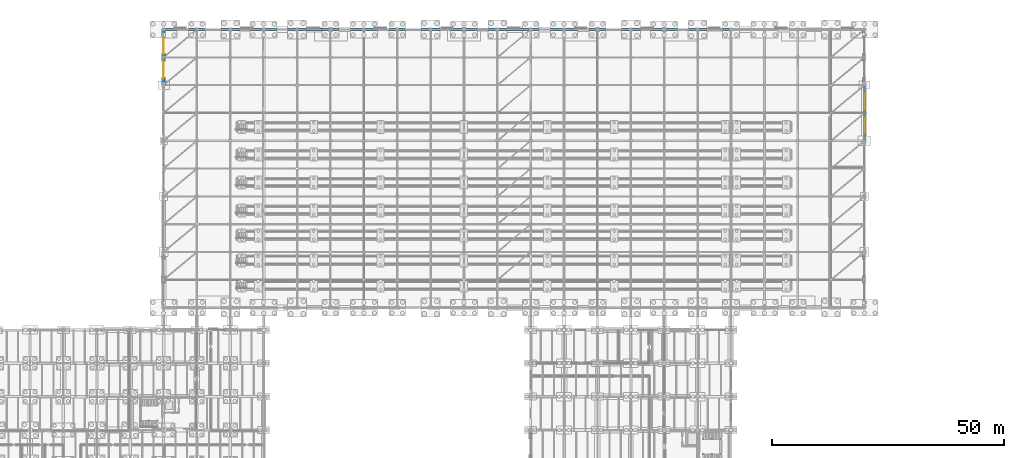
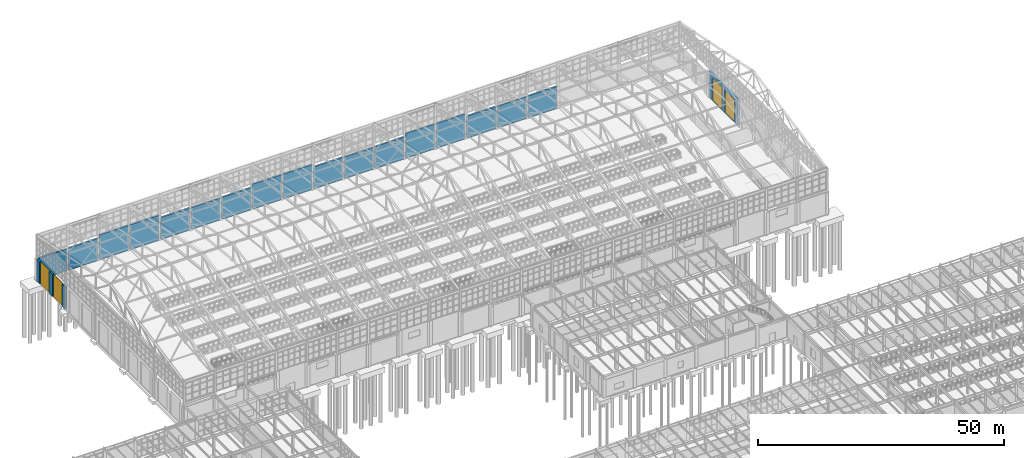
# One storey, part 275 of 293: 19 walls, 4 doors, 4 openings.
"""IFC4 building model written with IfcOpenShell, lengths in metres."""

from ifc_helpers import new_model, si_unit, direction, frame, frame_2d, origin, place, context, subcontext, project, spatial, rectangle, extrude, material, layer, layer_set, type_object, element, fill, save


model = new_model("IFC4")

# Units and contexts
model_context = context("Model", 3, precision=1e-05, world=origin(), true_north=direction((0.0, 1.0)))
body_context = subcontext(model_context, "Body", "Model", "MODEL_VIEW")
ifc_project = project(units=[si_unit("LENGTHUNIT", "METRE"), si_unit("AREAUNIT", "SQUARE_METRE"), si_unit("VOLUMEUNIT", "CUBIC_METRE"), si_unit("PLANEANGLEUNIT", "RADIAN"), si_unit("MASSUNIT", "GRAM", prefix="KILO")], contexts=[model_context])

# Site, building, storey
site_placement = place(None, origin())
site = spatial("IfcSite", under=ifc_project, at=site_placement, CompositionType="ELEMENT")
building_placement = place(site_placement, origin())
building = spatial("IfcBuilding", under=site, at=building_placement, Name="Kemerveld Promenade Tramway Depot", CompositionType="ELEMENT")
storey_placement = place(building_placement, origin())
storey = spatial("IfcBuildingStorey", under=building, at=storey_placement, Name="L00", CompositionType="ELEMENT", Elevation=0.0)

# Walls
ifc_material_1 = material(Name="Harare granite ashlar and clay brick cavity masonry", Category="masonry")
ifc_layer = layer(ifc_material_1, 0.419921875)
ifc_layer_set = layer_set([ifc_layer], Name="WL-EXT-420")
wall_type = type_object("IfcWallType", Name="WL-EXT-420", PredefinedType="SOLIDWALL", material=ifc_layer_set)
for number, where, z_axis, x_axis, name in (
    (1, (36.22314453125, 144.0, 0.0), (0.0, 0.0, 1.0), (1.0, 0.0, 0.0), "WL-V1-N-01"),
    (2, (43.423095703125, 144.0, 0.0), (0.0, 0.0, 1.0), (1.0, 0.0, 0.0), "WL-V1-N-02"),
):
    element("IfcWall", number, at=place(storey_placement, frame(where, z_axis=z_axis, x_axis=x_axis)), inside=storey, type_object=wall_type, Name=name, PredefinedType="SOLIDWALL", context=body_context, shape_type="SweptSolid", body=[
        extrude(rectangle(XDim=6.753662109375, YDim=0.419921875, at=frame_2d((3.376953125, 0.0))), origin(), (0.0, 0.0, 1.0), 5.443359375),
    ])
wall_1_placement = place(storey_placement, frame((50.623291015625, 144.0, 0.0), z_axis=(0.0, 0.0, 1.0), x_axis=(1.0, 0.0, 0.0)))
element("IfcWall", 3, at=wall_1_placement, inside=storey, type_object=wall_type, Name="WL-V1-N-03", PredefinedType="SOLIDWALL", context=body_context, shape_type="SweptSolid", body=[
    extrude(rectangle(XDim=6.75341796875, YDim=0.419921875, at=frame_2d((3.376708984375, 0.0))), origin(), (0.0, 0.0, 1.0), 6.199951171875),
])
wall_2_placement = place(storey_placement, frame((57.8232421875, 144.0, 0.0), z_axis=(0.0, 0.0, 1.0), x_axis=(1.0, 0.0, 0.0)))
element("IfcWall", 4, at=wall_2_placement, inside=storey, type_object=wall_type, Name="WL-V1-N-04", PredefinedType="SOLIDWALL", context=body_context, shape_type="SweptSolid", body=[
    extrude(rectangle(XDim=6.753662109375, YDim=0.419921875, at=frame_2d((3.376953125, 0.0))), origin(), (0.0, 0.0, 1.0), 6.199951171875),
])
for number, where, z_axis, x_axis, name in (
    (5, (65.023193359375, 144.0, 0.0), (0.0, 0.0, 1.0), (1.0, 0.0, 0.0), "WL-V1-N-05"),
    (6, (72.22314453125, 144.0, 0.0), (0.0, 0.0, 1.0), (1.0, 0.0, 0.0), "WL-V1-N-06"),
    (7, (79.423095703125, 144.0, 0.0), (0.0, 0.0, 1.0), (1.0, 0.0, 0.0), "WL-V1-N-07"),
):
    element("IfcWall", number, at=place(storey_placement, frame(where, z_axis=z_axis, x_axis=x_axis)), inside=storey, type_object=wall_type, Name=name, PredefinedType="SOLIDWALL", context=body_context, shape_type="SweptSolid", body=[
        extrude(rectangle(XDim=6.753662109375, YDim=0.419921875, at=frame_2d((3.376953125, 0.0))), origin(), (0.0, 0.0, 1.0), 5.443359375),
    ])
wall_3_placement = place(storey_placement, frame((86.623291015625, 144.0, 0.0), z_axis=(0.0, 0.0, 1.0), x_axis=(1.0, 0.0, 0.0)))
element("IfcWall", 8, at=wall_3_placement, inside=storey, type_object=wall_type, Name="WL-V1-N-08", PredefinedType="SOLIDWALL", context=body_context, shape_type="SweptSolid", body=[
    extrude(rectangle(XDim=6.75341796875, YDim=0.419921875, at=frame_2d((3.376708984375, 0.0))), origin(), (0.0, 0.0, 1.0), 6.199951171875),
])
wall_4_placement = place(storey_placement, frame((93.8232421875, 144.0, 0.0), z_axis=(0.0, 0.0, 1.0), x_axis=(1.0, 0.0, 0.0)))
element("IfcWall", 9, at=wall_4_placement, inside=storey, type_object=wall_type, Name="WL-V1-N-09", PredefinedType="SOLIDWALL", context=body_context, shape_type="SweptSolid", body=[
    extrude(rectangle(XDim=6.753662109375, YDim=0.419921875, at=frame_2d((3.376953125, 0.0))), origin(), (0.0, 0.0, 1.0), 6.199951171875),
])
for number, where, z_axis, x_axis, name in (
    (10, (101.023193359375, 144.0, 0.0), (0.0, 0.0, 1.0), (1.0, 0.0, 0.0), "WL-V1-N-10"),
    (11, (108.22314453125, 144.0, 0.0), (0.0, 0.0, 1.0), (1.0, 0.0, 0.0), "WL-V1-N-11"),
    (12, (115.423095703125, 144.0, 0.0), (0.0, 0.0, 1.0), (1.0, 0.0, 0.0), "WL-V1-N-12"),
):
    element("IfcWall", number, at=place(storey_placement, frame(where, z_axis=z_axis, x_axis=x_axis)), inside=storey, type_object=wall_type, Name=name, PredefinedType="SOLIDWALL", context=body_context, shape_type="SweptSolid", body=[
        extrude(rectangle(XDim=6.753662109375, YDim=0.419921875, at=frame_2d((3.376953125, 0.0))), origin(), (0.0, 0.0, 1.0), 5.443359375),
    ])
wall_5_placement = place(storey_placement, frame((122.623291015625, 144.0, 0.0), z_axis=(0.0, 0.0, 1.0), x_axis=(1.0, 0.0, 0.0)))
element("IfcWall", 13, at=wall_5_placement, inside=storey, type_object=wall_type, Name="WL-V1-N-13", PredefinedType="SOLIDWALL", context=body_context, shape_type="SweptSolid", body=[
    extrude(rectangle(XDim=6.75341796875, YDim=0.419921875, at=frame_2d((3.376708984375, 0.0))), origin(), (0.0, 0.0, 1.0), 6.199951171875),
])
wall_6_placement = place(storey_placement, frame((129.8232421875, 144.0, 0.0), z_axis=(0.0, 0.0, 1.0), x_axis=(1.0, 0.0, 0.0)))
element("IfcWall", 14, at=wall_6_placement, inside=storey, type_object=wall_type, Name="WL-V1-N-14", PredefinedType="SOLIDWALL", context=body_context, shape_type="SweptSolid", body=[
    extrude(rectangle(XDim=6.753662109375, YDim=0.419921875, at=frame_2d((3.376953125, 0.0))), origin(), (0.0, 0.0, 1.0), 6.199951171875),
])
for number, where, z_axis, x_axis, name in (
    (15, (137.023193359375, 144.0, 0.0), (0.0, 0.0, 1.0), (1.0, 0.0, 0.0), "WL-V1-N-15"),
    (16, (144.22314453125, 144.0, 0.0), (0.0, 0.0, 1.0), (1.0, 0.0, 0.0), "WL-V1-N-16"),
    (17, (151.423095703125, 144.0, 0.0), (0.0, 0.0, 1.0), (1.0, 0.0, 0.0), "WL-V1-N-17"),
):
    element("IfcWall", number, at=place(storey_placement, frame(where, z_axis=z_axis, x_axis=x_axis)), inside=storey, type_object=wall_type, Name=name, PredefinedType="SOLIDWALL", context=body_context, shape_type="SweptSolid", body=[
        extrude(rectangle(XDim=6.753662109375, YDim=0.419921875, at=frame_2d((3.376953125, 0.0))), origin(), (0.0, 0.0, 1.0), 5.443359375),
    ])

# Wall, openings, doors
wall_7_placement = place(storey_placement, frame((187.199951171875, 131.81640625, 0.0), z_axis=(0.0, 0.0, 1.0), x_axis=(0.0, -1.0, 0.0)))
wall_7 = element("IfcWall", 18, at=wall_7_placement, inside=storey, type_object=wall_type, Name="WL-V1-E-04", PredefinedType="SOLIDWALL", context=body_context, shape_type="SweptSolid", body=[
    extrude(rectangle(XDim=11.6328125, YDim=0.419921875, at=frame_2d((5.81640625, 0.0))), origin(), (0.0, 0.0, 1.0), 6.60009765625),
])
opening_1_placement = place(wall_7_placement, frame((1.300048828125, 0.0, 0.0)))
opening_1 = element("IfcOpeningElement", 19, at=opening_1_placement, cuts=wall_7, Name="Opening G-117", PredefinedType="OPENING", context=body_context, shape_type="SweptSolid", body=[
    extrude(rectangle(XDim=3.949951171875, YDim=5.699951171875, at=frame_2d((1.97509765625, 2.85009765625))), frame((0.0, 0.219970703125, 0.0), z_axis=(0.0, -1.0, 0.0), x_axis=(1.0, 0.0, 0.0)), (0.0, 0.0, 1.0), 0.43994140625),
])
opening_2_placement = place(wall_7_placement, frame((6.383056640625, 0.0, 0.0)))
opening_2 = element("IfcOpeningElement", 20, at=opening_2_placement, cuts=wall_7, Name="Opening G-118", PredefinedType="OPENING", context=body_context, shape_type="SweptSolid", body=[
    extrude(rectangle(XDim=3.949951171875, YDim=5.699951171875, at=frame_2d((1.97509765625, 2.85009765625))), frame((0.0, 0.219970703125, 0.0), z_axis=(0.0, -1.0, 0.0), x_axis=(1.0, 0.0, 0.0)), (0.0, 0.0, 1.0), 0.43994140625),
])
ifc_material_2 = material(Name="Insulated powder-coated steel bi-folding tram gate", Category="steel")
door_type_1 = type_object("IfcDoorType", Name="GT-TRAM2", OperationType="FOLDING_TO_LEFT", PredefinedType="GATE", material=ifc_material_2)
door_1_placement = place(opening_1_placement, origin())
door_1 = element("IfcDoor", 21, at=door_1_placement, inside=storey, type_object=door_type_1, Name="GT-V1-E-4-1", OperationType="FOLDING_TO_LEFT", OverallHeight=5.699951171875, OverallWidth=3.949951171875, PredefinedType="GATE", context=body_context, shape_type="SweptSolid", body=[
    extrude(rectangle(XDim=3.949951171875, YDim=5.699951171875, at=frame_2d((1.97509765625, 2.85009765625))), frame((0.0, 0.02490234375, 0.0), z_axis=(0.0, -1.0, 0.0), x_axis=(1.0, 0.0, 0.0)), (0.0, 0.0, 1.0), 0.050048828125),
])
fill(opening_1, door_1)
door_2_placement = place(opening_2_placement, origin())
door_2 = element("IfcDoor", 22, at=door_2_placement, inside=storey, type_object=door_type_1, Name="GT-V1-E-4-2", OperationType="FOLDING_TO_LEFT", OverallHeight=5.699951171875, OverallWidth=3.949951171875, PredefinedType="GATE", context=body_context, shape_type="SweptSolid", body=[
    extrude(rectangle(XDim=3.949951171875, YDim=5.699951171875, at=frame_2d((1.97509765625, 2.85009765625))), frame((0.0, 0.02490234375, 0.0), z_axis=(0.0, -1.0, 0.0), x_axis=(1.0, 0.0, 0.0)), (0.0, 0.0, 1.0), 0.050048828125),
])
fill(opening_2, door_2)

wall_8_placement = place(storey_placement, frame((36.0, 132.18359375, 0.0), z_axis=(0.0, 0.0, 1.0), x_axis=(0.0, 1.0, 0.0)))
wall_8 = element("IfcWall", 23, at=wall_8_placement, inside=storey, type_object=wall_type, Name="WL-V1-W-05", PredefinedType="SOLIDWALL", context=body_context, shape_type="SweptSolid", body=[
    extrude(rectangle(XDim=11.59326171875, YDim=0.419921875, at=frame_2d((5.796630859375, 0.0))), origin(), (0.0, 0.0, 1.0), 5.443359375),
])
opening_3_placement = place(wall_8_placement, frame((1.300048828125, 0.0, 0.0)))
opening_3 = element("IfcOpeningElement", 24, at=opening_3_placement, cuts=wall_8, Name="Opening G-119", PredefinedType="OPENING", context=body_context, shape_type="SweptSolid", body=[
    extrude(rectangle(XDim=3.800048828125, YDim=5.60009765625, at=frame_2d((1.89990234375, 2.800048828125))), frame((0.0, 0.219970703125, 0.0), z_axis=(0.0, -1.0, 0.0), x_axis=(1.0, 0.0, 0.0)), (0.0, 0.0, 1.0), 0.43994140625),
])
opening_4_placement = place(wall_8_placement, frame((6.492919921875, 0.0, 0.0)))
opening_4 = element("IfcOpeningElement", 25, at=opening_4_placement, cuts=wall_8, Name="Opening G-120", PredefinedType="OPENING", context=body_context, shape_type="SweptSolid", body=[
    extrude(rectangle(XDim=3.800048828125, YDim=5.60009765625, at=frame_2d((1.89990234375, 2.800048828125))), frame((0.0, 0.219970703125, 0.0), z_axis=(0.0, -1.0, 0.0), x_axis=(1.0, 0.0, 0.0)), (0.0, 0.0, 1.0), 0.43994140625),
])
door_type_2 = type_object("IfcDoorType", Name="GT-TRAM1", OperationType="FOLDING_TO_LEFT", PredefinedType="GATE", material=ifc_material_2)
door_3_placement = place(opening_3_placement, origin())
door_3 = element("IfcDoor", 26, at=door_3_placement, inside=storey, type_object=door_type_2, Name="GT-V1-W-5-1", OperationType="FOLDING_TO_LEFT", OverallHeight=5.60009765625, OverallWidth=3.800048828125, PredefinedType="GATE", context=body_context, shape_type="SweptSolid", body=[
    extrude(rectangle(XDim=3.800048828125, YDim=5.60009765625, at=frame_2d((1.89990234375, 2.800048828125))), frame((0.0, 0.02490234375, 0.0), z_axis=(0.0, -1.0, 0.0), x_axis=(1.0, 0.0, 0.0)), (0.0, 0.0, 1.0), 0.050048828125),
])
fill(opening_3, door_3)
door_4_placement = place(opening_4_placement, origin())
door_4 = element("IfcDoor", 27, at=door_4_placement, inside=storey, type_object=door_type_2, Name="GT-V1-W-5-2", OperationType="FOLDING_TO_LEFT", OverallHeight=5.60009765625, OverallWidth=3.800048828125, PredefinedType="GATE", context=body_context, shape_type="SweptSolid", body=[
    extrude(rectangle(XDim=3.800048828125, YDim=5.60009765625, at=frame_2d((1.89990234375, 2.800048828125))), frame((0.0, 0.02490234375, 0.0), z_axis=(0.0, -1.0, 0.0), x_axis=(1.0, 0.0, 0.0)), (0.0, 0.0, 1.0), 0.050048828125),
])
fill(opening_4, door_4)

save(model, "model.ifc")
